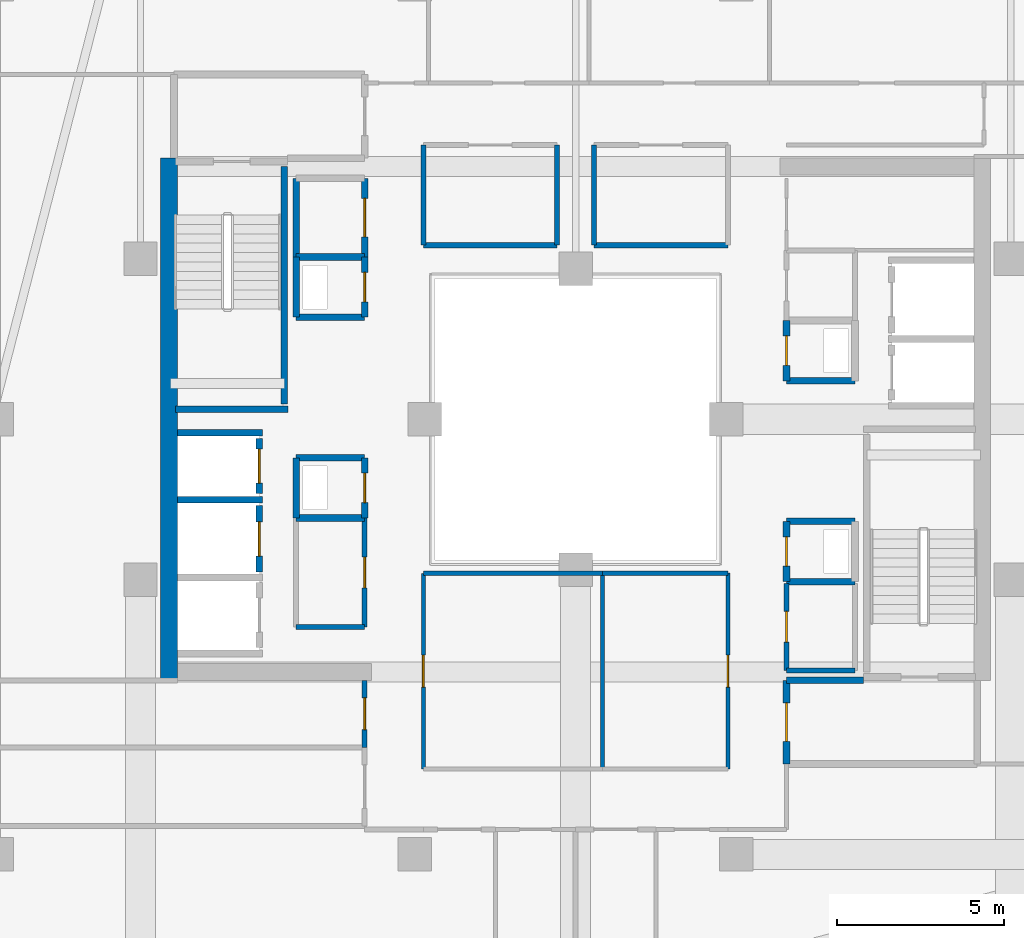
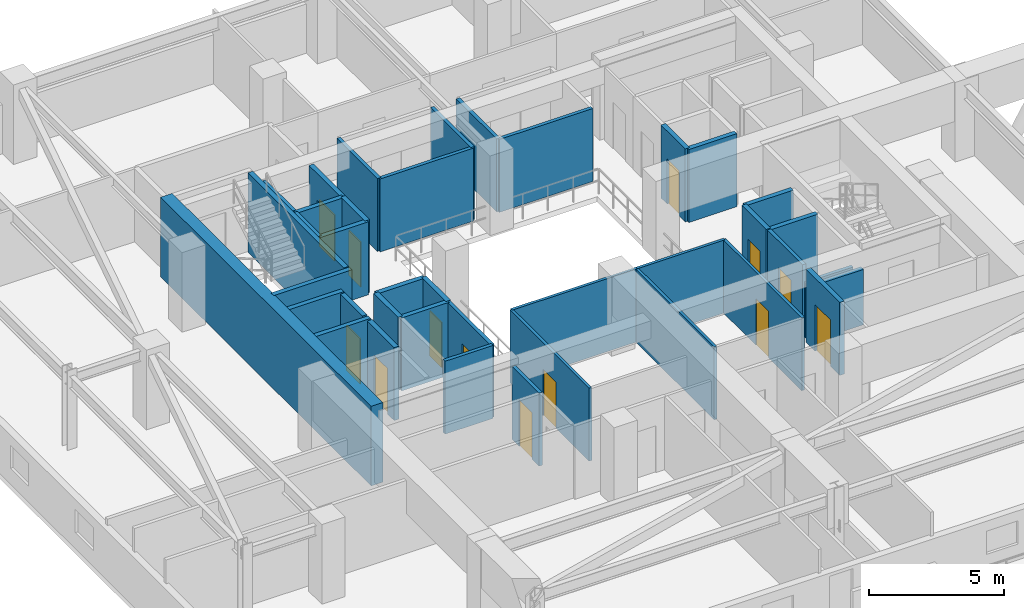
# One storey, part 26 of 35: 39 walls, 13 doors, 13 openings.
"""IFC4 building model written with IfcOpenShell, lengths in metres."""

from ifc_helpers import new_model, si_unit, direction, frame, frame_2d, origin, place, context, subcontext, project, spatial, rectangle, extrude, material, layer, layer_set, type_object, element, fill, save


model = new_model("IFC4")

# Units and contexts
model_context = context("Model", 3, precision=1e-05, world=origin(), true_north=direction((0.0, 1.0)))
body_context = subcontext(model_context, "Body", "Model", "MODEL_VIEW")
ifc_project = project(units=[si_unit("LENGTHUNIT", "METRE"), si_unit("AREAUNIT", "SQUARE_METRE"), si_unit("VOLUMEUNIT", "CUBIC_METRE"), si_unit("PLANEANGLEUNIT", "RADIAN"), si_unit("MASSUNIT", "GRAM", prefix="KILO")], contexts=[model_context])

# Site, building, storey
site_placement = place(None, origin())
site = spatial("IfcSite", under=ifc_project, at=site_placement, CompositionType="ELEMENT")
building_placement = place(site_placement, origin())
building = spatial("IfcBuilding", under=site, at=building_placement, Name="Thornwick Lancets Civic Towers", CompositionType="ELEMENT")
storey_placement = place(building_placement, frame((0.0, 0.0, 225.89990234375)))
storey = spatial("IfcBuildingStorey", under=building, at=storey_placement, Name="L60", CompositionType="ELEMENT", Elevation=225.89990234375)

# Wall, opening, door
ifc_material_1 = material(Name="Concrete blockwork C40/50", Category="masonry")
ifc_layer_1 = layer(ifc_material_1, 0.199951171875, Name="Concrete blockwork C40/50")
ifc_layer_set_1 = layer_set([ifc_layer_1], Name="Concrete blockwork C40/50")
wall_type_1 = type_object("IfcWallType", Name="WALL_COMP_200", PredefinedType="STANDARD", material=ifc_layer_set_1)
wall_1_placement = place(storey_placement, frame((79.050048828125, 24.780029296875, 0.0), z_axis=(0.0, 0.0, 1.0), x_axis=(0.0, 1.0, 0.0)))
wall_1 = element("IfcWall", 1, at=wall_1_placement, inside=storey, type_object=wall_type_1, Name="L60 Hoistway Front Wall FL-B2", PredefinedType="STANDARD", context=body_context, shape_type="SweptSolid", body=[
    extrude(rectangle(XDim=1.639892578125, YDim=0.199951171875, at=frame_2d((0.81982421875, 0.0))), origin(), (0.0, 0.0, 1.0), 3.300048828125),
])
opening_1_placement = place(wall_1_placement, frame((0.31005859375, 0.0, 0.0)))
opening_1 = element("IfcOpeningElement", 2, at=opening_1_placement, cuts=wall_1, Name="Opening LD-FL-B2", PredefinedType="OPENING", context=body_context, shape_type="SweptSolid", body=[
    extrude(rectangle(XDim=1.02001953125, YDim=2.06005859375, at=frame_2d((0.510009765625, 1.030029296875))), frame((0.0, 0.10986328125, 0.0), z_axis=(0.0, -1.0, 0.0), x_axis=(1.0, 0.0, 0.0)), (0.0, 0.0, 1.0), 0.219970703125),
])
ifc_material_2 = material(Name="Brushed bronze stainless steel", Category="steel")
door_type_1 = type_object("IfcDoorType", Name="DOOR_LIFT_SLIDE", OperationType="SLIDING_TO_LEFT", PredefinedType="DOOR", material=ifc_material_2)
door_1_placement = place(opening_1_placement, origin())
door_1 = element("IfcDoor", 3, at=door_1_placement, inside=storey, type_object=door_type_1, Name="L60 Sliding Lift Landing Door LD-FL-B2", OperationType="SLIDING_TO_LEFT", OverallHeight=2.06005859375, OverallWidth=1.02001953125, PredefinedType="DOOR", context=body_context, shape_type="SweptSolid", body=[
    extrude(rectangle(XDim=1.02001953125, YDim=2.06005859375, at=frame_2d((0.510009765625, 1.030029296875))), frame((0.0, 0.02490234375, 0.0), z_axis=(0.0, -1.0, 0.0), x_axis=(1.0, 0.0, 0.0)), (0.0, 0.0, 1.0), 0.050048828125),
])
fill(opening_1, door_1)

wall_2_placement = place(storey_placement, frame((79.050048828125, 22.429931640625, 0.0), z_axis=(0.0, 0.0, 1.0), x_axis=(0.0, 1.0, 0.0)))
wall_2 = element("IfcWall", 4, at=wall_2_placement, inside=storey, type_object=wall_type_1, Name="L60 Hoistway Front Wall PL-BH2", PredefinedType="STANDARD", context=body_context, shape_type="SweptSolid", body=[
    extrude(rectangle(XDim=1.989990234375, YDim=0.199951171875, at=frame_2d((0.9951171875, 0.0))), origin(), (0.0, 0.0, 1.0), 3.300048828125),
])
opening_2_placement = place(wall_2_placement, frame((0.485107421875, 0.0, 0.0)))
opening_2 = element("IfcOpeningElement", 5, at=opening_2_placement, cuts=wall_2, Name="Opening LD-PL-BH2", PredefinedType="OPENING", context=body_context, shape_type="SweptSolid", body=[
    extrude(rectangle(XDim=1.02001953125, YDim=2.06005859375, at=frame_2d((0.510009765625, 1.030029296875))), frame((0.0, 0.10986328125, 0.0), z_axis=(0.0, -1.0, 0.0), x_axis=(1.0, 0.0, 0.0)), (0.0, 0.0, 1.0), 0.219970703125),
])
door_2_placement = place(opening_2_placement, origin())
door_2 = element("IfcDoor", 6, at=door_2_placement, inside=storey, type_object=door_type_1, Name="L60 Sliding Lift Landing Door LD-PL-BH2", OperationType="SLIDING_TO_LEFT", OverallHeight=2.06005859375, OverallWidth=1.02001953125, PredefinedType="DOOR", context=body_context, shape_type="SweptSolid", body=[
    extrude(rectangle(XDim=1.02001953125, YDim=2.06005859375, at=frame_2d((0.510009765625, 1.030029296875))), frame((0.0, 0.02490234375, 0.0), z_axis=(0.0, -1.0, 0.0), x_axis=(1.0, 0.0, 0.0)), (0.0, 0.0, 1.0), 0.050048828125),
])
fill(opening_2, door_2)

# Walls
for number, where, z_axis, x_axis, name in (
    (7, (76.612060546875, 26.60009765625, 0.0), (0.0, 0.0, 1.0), (1.0, 0.0, 0.0), "L60 Hoistway Shaft Wall FL-B2 N"),
    (8, (76.612060546875, 24.60009765625, 0.0), (0.0, 0.0, 1.0), (1.0, 0.0, 0.0), "L60 Hoistway Shaft Wall FL-B2 S"),
):
    element("IfcWall", number, at=place(storey_placement, frame(where, z_axis=z_axis, x_axis=x_axis)), inside=storey, type_object=wall_type_1, Name=name, PredefinedType="STANDARD", context=body_context, shape_type="SweptSolid", body=[
        extrude(rectangle(XDim=2.535888671875, YDim=0.199951171875, at=frame_2d((1.26806640625, 0.0))), origin(), (0.0, 0.0, 1.0), 3.300048828125),
    ])
wall_3_placement = place(storey_placement, frame((97.10009765625, 19.199951171875, 0.0), z_axis=(0.0, 0.0, 1.0), x_axis=(-1.0, 0.0, 0.0)))
element("IfcWall", 9, at=wall_3_placement, inside=storey, type_object=wall_type_1, Name="L60 Partition L60-B-FFLOB1 E3", PredefinedType="STANDARD", context=body_context, shape_type="SweptSolid", body=[
    extrude(rectangle(XDim=2.300048828125, YDim=0.199951171875, at=frame_2d((1.14990234375, 0.0))), origin(), (0.0, 0.0, 1.0), 2.505126953125),
])

# Wall, opening, door
wall_4_placement = place(storey_placement, frame((94.800048828125, 19.199951171875, 0.0), z_axis=(0.0, 0.0, 1.0), x_axis=(0.0, -1.0, 0.0)))
wall_4 = element("IfcWall", 10, at=wall_4_placement, inside=storey, type_object=wall_type_1, Name="L60 Partition L60-B-FFLOB1 E4", PredefinedType="STANDARD", context=body_context, shape_type="SweptSolid", body=[
    extrude(rectangle(XDim=2.5, YDim=0.199951171875, at=frame_2d((1.25, 0.0))), origin(), (0.0, 0.0, 1.0), 3.300048828125),
])
opening_3_placement = place(wall_4_placement, frame((0.675048828125, 0.0, 0.0)))
opening_3 = element("IfcOpeningElement", 11, at=opening_3_placement, cuts=wall_4, Name="Opening D-L60-2692", PredefinedType="OPENING", context=body_context, shape_type="SweptSolid", body=[
    extrude(rectangle(XDim=1.14990234375, YDim=2.10009765625, at=frame_2d((0.574951171875, 1.050048828125))), frame((0.0, 0.10986328125, 0.0), z_axis=(0.0, -1.0, 0.0), x_axis=(1.0, 0.0, 0.0)), (0.0, 0.0, 1.0), 0.219970703125),
])
ifc_material_3 = material(Name="Glazed fire-resisting steel", Category="steel")
door_type_2 = type_object("IfcDoorType", Name="DOOR_LOBBY_FD60", OperationType="NOTDEFINED", PredefinedType="DOOR", material=ifc_material_3)
door_3_placement = place(opening_3_placement, origin())
door_3 = element("IfcDoor", 12, at=door_3_placement, inside=storey, type_object=door_type_2, Name="L60 East Firefighting Lobby 1 Door", OperationType="SINGLE_SWING_LEFT", OverallHeight=2.10009765625, OverallWidth=1.14990234375, PredefinedType="DOOR", context=body_context, shape_type="SweptSolid", body=[
    extrude(rectangle(XDim=1.14990234375, YDim=2.10009765625, at=frame_2d((0.574951171875, 1.050048828125))), frame((0.0, 0.02490234375, 0.0), z_axis=(0.0, -1.0, 0.0), x_axis=(1.0, 0.0, 0.0)), (0.0, 0.0, 1.0), 0.050048828125),
])
fill(opening_3, door_3)

# Wall
wall_5_placement = place(storey_placement, frame((94.800048828125, 28.14990234375, 0.0), z_axis=(0.0, 0.0, 1.0), x_axis=(1.0, 0.0, 0.0)))
element("IfcWall", 13, at=wall_5_placement, inside=storey, type_object=wall_type_1, Name="L60 Partition L60-B-DUCT1 E1", PredefinedType="STANDARD", context=body_context, shape_type="SweptSolid", body=[
    extrude(rectangle(XDim=2.050048828125, YDim=0.199951171875, at=frame_2d((1.02490234375, 0.0))), origin(), (0.0, 0.0, 1.0), 3.300048828125),
])

# Wall, opening, door
wall_6_placement = place(storey_placement, frame((94.800048828125, 29.949951171875, 0.0), z_axis=(0.0, 0.0, 1.0), x_axis=(0.0, -1.0, 0.0)))
wall_6 = element("IfcWall", 14, at=wall_6_placement, inside=storey, type_object=wall_type_1, Name="L60 Partition L60-B-DUCT1 E4", PredefinedType="STANDARD", context=body_context, shape_type="SweptSolid", body=[
    extrude(rectangle(XDim=1.800048828125, YDim=0.199951171875, at=frame_2d((0.89990234375, 0.0))), origin(), (0.0, 0.0, 1.0), 3.300048828125),
])
opening_4_placement = place(wall_6_placement, frame((0.4599609375, 0.0, 0.0)))
opening_4 = element("IfcOpeningElement", 15, at=opening_4_placement, cuts=wall_6, Name="Opening D-L60-2694", PredefinedType="OPENING", context=body_context, shape_type="SweptSolid", body=[
    extrude(rectangle(XDim=0.8798828125, YDim=2.0400390625, at=frame_2d((0.43994140625, 1.02001953125))), frame((0.0, 0.10986328125, 0.0), z_axis=(0.0, -1.0, 0.0), x_axis=(1.0, 0.0, 0.0)), (0.0, 0.0, 1.0), 0.219970703125),
])
ifc_material_4 = material(Name="Steel riser access doorset", Category="steel")
door_type_3 = type_object("IfcDoorType", Name="DOOR_RISER_850", OperationType="NOTDEFINED", PredefinedType="DOOR", material=ifc_material_4)
door_4_placement = place(opening_4_placement, origin())
door_4 = element("IfcDoor", 16, at=door_4_placement, inside=storey, type_object=door_type_3, Name="L60 East Service Duct 1 Door", OperationType="SINGLE_SWING_LEFT", OverallHeight=2.0400390625, OverallWidth=0.8798828125, PredefinedType="DOOR", context=body_context, shape_type="SweptSolid", body=[
    extrude(rectangle(XDim=0.8798828125, YDim=2.0400390625, at=frame_2d((0.43994140625, 1.02001953125))), frame((0.0, 0.02490234375, 0.0), z_axis=(0.0, -1.0, 0.0), x_axis=(1.0, 0.0, 0.0)), (0.0, 0.0, 1.0), 0.050048828125),
])
fill(opening_4, door_4)

# Walls
for number, where, z_axis, x_axis, name in (
    (17, (94.800048828125, 22.14990234375, 0.0), (0.0, 0.0, 1.0), (1.0, 0.0, 0.0), "L60 Partition L60-B-RISER1 E1"),
    (18, (96.85009765625, 23.949951171875, 0.0), (0.0, 0.0, 1.0), (-1.0, 0.0, 0.0), "L60 Partition L60-B-RISER1 E3"),
):
    element("IfcWall", number, at=place(storey_placement, frame(where, z_axis=z_axis, x_axis=x_axis)), inside=storey, type_object=wall_type_1, Name=name, PredefinedType="STANDARD", context=body_context, shape_type="SweptSolid", body=[
        extrude(rectangle(XDim=2.050048828125, YDim=0.199951171875, at=frame_2d((1.02490234375, 0.0))), origin(), (0.0, 0.0, 1.0), 3.300048828125),
    ])

# Wall, opening, door
wall_7_placement = place(storey_placement, frame((94.800048828125, 23.949951171875, 0.0), z_axis=(0.0, 0.0, 1.0), x_axis=(0.0, -1.0, 0.0)))
wall_7 = element("IfcWall", 19, at=wall_7_placement, inside=storey, type_object=wall_type_1, Name="L60 Partition L60-B-RISER1 E4", PredefinedType="STANDARD", context=body_context, shape_type="SweptSolid", body=[
    extrude(rectangle(XDim=1.800048828125, YDim=0.199951171875, at=frame_2d((0.89990234375, 0.0))), origin(), (0.0, 0.0, 1.0), 3.300048828125),
])
opening_5_placement = place(wall_7_placement, frame((0.4599609375, 0.0, 0.0)))
opening_5 = element("IfcOpeningElement", 20, at=opening_5_placement, cuts=wall_7, Name="Opening D-L60-2695", PredefinedType="OPENING", context=body_context, shape_type="SweptSolid", body=[
    extrude(rectangle(XDim=0.8798828125, YDim=2.0400390625, at=frame_2d((0.43994140625, 1.02001953125))), frame((0.0, 0.10986328125, 0.0), z_axis=(0.0, -1.0, 0.0), x_axis=(1.0, 0.0, 0.0)), (0.0, 0.0, 1.0), 0.219970703125),
])
door_5_placement = place(opening_5_placement, origin())
door_5 = element("IfcDoor", 21, at=door_5_placement, inside=storey, type_object=door_type_3, Name="L60 East Electrical Riser 1 Door", OperationType="SINGLE_SWING_RIGHT", OverallHeight=2.0400390625, OverallWidth=0.8798828125, PredefinedType="DOOR", context=body_context, shape_type="SweptSolid", body=[
    extrude(rectangle(XDim=0.8798828125, YDim=2.0400390625, at=frame_2d((0.43994140625, 1.02001953125))), frame((0.0, 0.02490234375, 0.0), z_axis=(0.0, -1.0, 0.0), x_axis=(1.0, 0.0, 0.0)), (0.0, 0.0, 1.0), 0.050048828125),
])
fill(opening_5, door_5)

# Wall
wall_8_placement = place(storey_placement, frame((80.14990234375, 24.050048828125, 0.0), z_axis=(0.0, 0.0, 1.0), x_axis=(1.0, 0.0, 0.0)))
element("IfcWall", 22, at=wall_8_placement, inside=storey, type_object=wall_type_1, Name="L60 Partition L60-B-DUCT2 E1", PredefinedType="STANDARD", context=body_context, shape_type="SweptSolid", body=[
    extrude(rectangle(XDim=2.050048828125, YDim=0.199951171875, at=frame_2d((1.02490234375, 0.0))), origin(), (0.0, 0.0, 1.0), 3.300048828125),
])

# Wall, opening, door
wall_9_placement = place(storey_placement, frame((82.199951171875, 24.050048828125, 0.0), z_axis=(0.0, 0.0, 1.0), x_axis=(0.0, 1.0, 0.0)))
wall_9 = element("IfcWall", 23, at=wall_9_placement, inside=storey, type_object=wall_type_1, Name="L60 Partition L60-B-DUCT2 E2", PredefinedType="STANDARD", context=body_context, shape_type="SweptSolid", body=[
    extrude(rectangle(XDim=1.800048828125, YDim=0.199951171875, at=frame_2d((0.89990234375, 0.0))), origin(), (0.0, 0.0, 1.0), 3.300048828125),
])
opening_6_placement = place(wall_9_placement, frame((0.4599609375, 0.0, 0.0)))
opening_6 = element("IfcOpeningElement", 24, at=opening_6_placement, cuts=wall_9, Name="Opening D-L60-2696", PredefinedType="OPENING", context=body_context, shape_type="SweptSolid", body=[
    extrude(rectangle(XDim=0.8798828125, YDim=2.0400390625, at=frame_2d((0.43994140625, 1.02001953125))), frame((0.0, 0.10986328125, 0.0), z_axis=(0.0, -1.0, 0.0), x_axis=(1.0, 0.0, 0.0)), (0.0, 0.0, 1.0), 0.219970703125),
])
door_6_placement = place(opening_6_placement, origin())
door_6 = element("IfcDoor", 25, at=door_6_placement, inside=storey, type_object=door_type_3, Name="L60 West Service Duct 2 Door", OperationType="SINGLE_SWING_LEFT", OverallHeight=2.0400390625, OverallWidth=0.8798828125, PredefinedType="DOOR", context=body_context, shape_type="SweptSolid", body=[
    extrude(rectangle(XDim=0.8798828125, YDim=2.0400390625, at=frame_2d((0.43994140625, 1.02001953125))), frame((0.0, 0.02490234375, 0.0), z_axis=(0.0, -1.0, 0.0), x_axis=(1.0, 0.0, 0.0)), (0.0, 0.0, 1.0), 0.050048828125),
])
fill(opening_6, door_6)

# Walls
wall_10_placement = place(storey_placement, frame((82.199951171875, 25.85009765625, 0.0), z_axis=(0.0, 0.0, 1.0), x_axis=(-1.0, 0.0, 0.0)))
element("IfcWall", 26, at=wall_10_placement, inside=storey, type_object=wall_type_1, Name="L60 Partition L60-B-DUCT2 E3", PredefinedType="STANDARD", context=body_context, shape_type="SweptSolid", body=[
    extrude(rectangle(XDim=2.050048828125, YDim=0.199951171875, at=frame_2d((1.02490234375, 0.0))), origin(), (0.0, 0.0, 1.0), 3.300048828125),
])
wall_11_placement = place(storey_placement, frame((80.14990234375, 25.85009765625, 0.0), z_axis=(0.0, 0.0, 1.0), x_axis=(0.0, -1.0, 0.0)))
element("IfcWall", 27, at=wall_11_placement, inside=storey, type_object=wall_type_1, Name="L60 Partition L60-B-DUCT2 E4", PredefinedType="STANDARD", context=body_context, shape_type="SweptSolid", body=[
    extrude(rectangle(XDim=1.800048828125, YDim=0.199951171875, at=frame_2d((0.89990234375, 0.0))), origin(), (0.0, 0.0, 1.0), 3.300048828125),
])
wall_12_placement = place(storey_placement, frame((80.14990234375, 30.050048828125, 0.0), z_axis=(0.0, 0.0, 1.0), x_axis=(1.0, 0.0, 0.0)))
element("IfcWall", 28, at=wall_12_placement, inside=storey, type_object=wall_type_1, Name="L60 Partition L60-B-RISER2 E1", PredefinedType="STANDARD", context=body_context, shape_type="SweptSolid", body=[
    extrude(rectangle(XDim=2.050048828125, YDim=0.199951171875, at=frame_2d((1.02490234375, 0.0))), origin(), (0.0, 0.0, 1.0), 3.300048828125),
])

# Wall, opening, door
wall_13_placement = place(storey_placement, frame((82.199951171875, 30.050048828125, 0.0), z_axis=(0.0, 0.0, 1.0), x_axis=(0.0, 1.0, 0.0)))
wall_13 = element("IfcWall", 29, at=wall_13_placement, inside=storey, type_object=wall_type_1, Name="L60 Partition L60-B-RISER2 E2", PredefinedType="STANDARD", context=body_context, shape_type="SweptSolid", body=[
    extrude(rectangle(XDim=1.800048828125, YDim=0.199951171875, at=frame_2d((0.89990234375, 0.0))), origin(), (0.0, 0.0, 1.0), 3.300048828125),
])
opening_7_placement = place(wall_13_placement, frame((0.4599609375, 0.0, 0.0)))
opening_7 = element("IfcOpeningElement", 30, at=opening_7_placement, cuts=wall_13, Name="Opening D-L60-2697", PredefinedType="OPENING", context=body_context, shape_type="SweptSolid", body=[
    extrude(rectangle(XDim=0.8798828125, YDim=2.0400390625, at=frame_2d((0.43994140625, 1.02001953125))), frame((0.0, 0.10986328125, 0.0), z_axis=(0.0, -1.0, 0.0), x_axis=(1.0, 0.0, 0.0)), (0.0, 0.0, 1.0), 0.219970703125),
])
door_7_placement = place(opening_7_placement, origin())
door_7 = element("IfcDoor", 31, at=door_7_placement, inside=storey, type_object=door_type_3, Name="L60 West Service Riser 2 Door", OperationType="SINGLE_SWING_RIGHT", OverallHeight=2.0400390625, OverallWidth=0.8798828125, PredefinedType="DOOR", context=body_context, shape_type="SweptSolid", body=[
    extrude(rectangle(XDim=0.8798828125, YDim=2.0400390625, at=frame_2d((0.43994140625, 1.02001953125))), frame((0.0, 0.02490234375, 0.0), z_axis=(0.0, -1.0, 0.0), x_axis=(1.0, 0.0, 0.0)), (0.0, 0.0, 1.0), 0.050048828125),
])
fill(opening_7, door_7)

# Walls
wall_14_placement = place(storey_placement, frame((82.199951171875, 31.85009765625, 0.0), z_axis=(0.0, 0.0, 1.0), x_axis=(-1.0, 0.0, 0.0)))
element("IfcWall", 32, at=wall_14_placement, inside=storey, type_object=wall_type_1, Name="L60 Partition L60-B-RISER2 E3", PredefinedType="STANDARD", context=body_context, shape_type="SweptSolid", body=[
    extrude(rectangle(XDim=2.050048828125, YDim=0.199951171875, at=frame_2d((1.02490234375, 0.0))), origin(), (0.0, 0.0, 1.0), 3.300048828125),
])
wall_15_placement = place(storey_placement, frame((80.14990234375, 31.85009765625, 0.0), z_axis=(0.0, 0.0, 1.0), x_axis=(0.0, -1.0, 0.0)))
element("IfcWall", 33, at=wall_15_placement, inside=storey, type_object=wall_type_1, Name="L60 Partition L60-B-RISER2 E4", PredefinedType="STANDARD", context=body_context, shape_type="SweptSolid", body=[
    extrude(rectangle(XDim=1.800048828125, YDim=0.199951171875, at=frame_2d((0.89990234375, 0.0))), origin(), (0.0, 0.0, 1.0), 3.300048828125),
])
wall_16_placement = place(storey_placement, frame((80.14990234375, 31.85009765625, 0.0), z_axis=(0.0, 0.0, 1.0), x_axis=(0.0, 1.0, 0.0)))
element("IfcWall", 34, at=wall_16_placement, inside=storey, type_object=wall_type_1, Name="L60 Partition L60-B-STR E1", PredefinedType="STANDARD", context=body_context, shape_type="SweptSolid", body=[
    extrude(rectangle(XDim=2.349853515625, YDim=0.199951171875, at=frame_2d((1.1748046875, 0.0))), origin(), (0.0, 0.0, 1.0), 3.300048828125),
])

# Wall, opening, door
wall_17_placement = place(storey_placement, frame((82.199951171875, 34.199951171875, 0.0), z_axis=(0.0, 0.0, 1.0), x_axis=(0.0, -1.0, 0.0)))
wall_17 = element("IfcWall", 35, at=wall_17_placement, inside=storey, type_object=wall_type_1, Name="L60 Partition L60-B-STR E3", PredefinedType="STANDARD", context=body_context, shape_type="SweptSolid", body=[
    extrude(rectangle(XDim=2.349853515625, YDim=0.199951171875, at=frame_2d((1.1748046875, 0.0))), origin(), (0.0, 0.0, 1.0), 3.300048828125),
])
opening_8_placement = place(wall_17_placement, frame((0.60009765625, 0.0, 0.0)))
opening_8 = element("IfcOpeningElement", 36, at=opening_8_placement, cuts=wall_17, Name="Opening D-L60-2702", PredefinedType="OPENING", context=body_context, shape_type="SweptSolid", body=[
    extrude(rectangle(XDim=1.14990234375, YDim=2.10009765625, at=frame_2d((0.574951171875, 1.050048828125))), frame((0.0, 0.10986328125, 0.0), z_axis=(0.0, -1.0, 0.0), x_axis=(1.0, 0.0, 0.0)), (0.0, 0.0, 1.0), 0.219970703125),
])
door_8_placement = place(opening_8_placement, origin())
door_8 = element("IfcDoor", 37, at=door_8_placement, inside=storey, type_object=door_type_2, Name="L60 Tower B Core Equipment Store Door", OperationType="SINGLE_SWING_LEFT", OverallHeight=2.10009765625, OverallWidth=1.14990234375, PredefinedType="DOOR", context=body_context, shape_type="SweptSolid", body=[
    extrude(rectangle(XDim=1.14990234375, YDim=2.10009765625, at=frame_2d((0.574951171875, 1.050048828125))), frame((0.0, 0.02490234375, 0.0), z_axis=(0.0, -1.0, 0.0), x_axis=(1.0, 0.0, 0.0)), (0.0, 0.0, 1.0), 0.050048828125),
])
fill(opening_8, door_8)

# Walls
ifc_material_5 = material(Name="Concrete C50/60", Category="concrete")
ifc_layer_2 = layer(ifc_material_5, 0.5, Name="Concrete C50/60")
ifc_layer_set_2 = layer_set([ifc_layer_2], Name="Concrete C50/60")
wall_type_2 = type_object("IfcWallType", Name="WALL_CORE_500", PredefinedType="SHEAR", material=ifc_layer_set_2)
wall_18_placement = place(storey_placement, frame((76.35009765625, 19.199951171875, 0.0), z_axis=(0.0, 0.0, 1.0), x_axis=(0.0, 1.0, 0.0)))
element("IfcWall", 38, at=wall_18_placement, inside=storey, type_object=wall_type_2, Name="L60 Split Core B2 Shear Wall W", PredefinedType="SHEAR", context=body_context, shape_type="SweptSolid", body=[
    extrude(rectangle(XDim=15.60009765625, YDim=0.5, at=frame_2d((7.800048828125, 0.0))), origin(), (0.0, 0.0, 1.0), 3.60009765625),
])
ifc_material_6 = material(Name="Acoustic gypsum board partition")
ifc_layer_3 = layer(ifc_material_6, 0.1201171875, Name="Acoustic gypsum board partition")
ifc_layer_set_3 = layer_set([ifc_layer_3], Name="Acoustic gypsum board partition")
wall_type_3 = type_object("IfcWallType", Name="WALL_PART_120", PredefinedType="PARTITIONING", material=ifc_layer_set_3)
wall_19_placement = place(storey_placement, frame((89.300048828125, 16.550048828125, 0.0), z_axis=(0.0, 0.0, 1.0), x_axis=(0.0, 1.0, 0.0)))
element("IfcWall", 39, at=wall_19_placement, inside=storey, type_object=wall_type_3, Name="L60 Partition L60-B-W3 E1", PredefinedType="PARTITIONING", context=body_context, shape_type="SweptSolid", body=[
    extrude(rectangle(XDim=5.849853515625, YDim=0.1201171875, at=frame_2d((2.9248046875, 0.0))), origin(), (0.0, 0.0, 1.0), 3.300048828125),
])
wall_20_placement = place(storey_placement, frame((89.300048828125, 22.39990234375, 0.0), z_axis=(0.0, 0.0, 1.0), x_axis=(1.0, 0.0, 0.0)))
element("IfcWall", 40, at=wall_20_placement, inside=storey, type_object=wall_type_3, Name="L60 Partition L60-B-W3 E2", PredefinedType="PARTITIONING", context=body_context, shape_type="SweptSolid", body=[
    extrude(rectangle(XDim=3.75, YDim=0.1201171875, at=frame_2d((1.875, 0.0))), origin(), (0.0, 0.0, 1.0), 3.300048828125),
])

# Wall, opening, door
wall_21_placement = place(storey_placement, frame((93.050048828125, 22.39990234375, 0.0), z_axis=(0.0, 0.0, 1.0), x_axis=(0.0, -1.0, 0.0)))
wall_21 = element("IfcWall", 41, at=wall_21_placement, inside=storey, type_object=wall_type_3, Name="L60 Partition L60-B-W3 E3", PredefinedType="PARTITIONING", context=body_context, shape_type="SweptSolid", body=[
    extrude(rectangle(XDim=5.849853515625, YDim=0.1201171875, at=frame_2d((2.9248046875, 0.0))), origin(), (0.0, 0.0, 1.0), 3.300048828125),
])
opening_9_placement = place(wall_21_placement, frame((2.449951171875, 0.0, 0.0)))
opening_9 = element("IfcOpeningElement", 42, at=opening_9_placement, cuts=wall_21, Name="Opening D-L60-2725", PredefinedType="OPENING", context=body_context, shape_type="SweptSolid", body=[
    extrude(rectangle(XDim=0.949951171875, YDim=2.10009765625, at=frame_2d((0.47509765625, 1.050048828125))), frame((0.0, 0.070068359375, 0.0), z_axis=(0.0, -1.0, 0.0), x_axis=(1.0, 0.0, 0.0)), (0.0, 0.0, 1.0), 0.14013671875),
])
ifc_material_7 = material(Name="European oak acoustic doorset")
door_type_4 = type_object("IfcDoorType", Name="DOOR_OFFICE_950", OperationType="NOTDEFINED", PredefinedType="DOOR", material=ifc_material_7)
door_9_placement = place(opening_9_placement, origin())
door_9 = element("IfcDoor", 43, at=door_9_placement, inside=storey, type_object=door_type_4, Name="L60 Tower B Staff Tea Pantry and Lounge Door", OperationType="SINGLE_SWING_RIGHT", OverallHeight=2.10009765625, OverallWidth=0.949951171875, PredefinedType="DOOR", context=body_context, shape_type="SweptSolid", body=[
    extrude(rectangle(XDim=0.949951171875, YDim=2.10009765625, at=frame_2d((0.47509765625, 1.050048828125))), frame((0.0, 0.02490234375, 0.0), z_axis=(0.0, -1.0, 0.0), x_axis=(1.0, 0.0, 0.0)), (0.0, 0.0, 1.0), 0.050048828125),
])
fill(opening_9, door_9)

wall_22_placement = place(storey_placement, frame((83.949951171875, 16.550048828125, 0.0), z_axis=(0.0, 0.0, 1.0), x_axis=(0.0, 1.0, 0.0)))
wall_22 = element("IfcWall", 44, at=wall_22_placement, inside=storey, type_object=wall_type_3, Name="L60 Partition L60-B-W4 E1", PredefinedType="PARTITIONING", context=body_context, shape_type="SweptSolid", body=[
    extrude(rectangle(XDim=5.849853515625, YDim=0.1201171875, at=frame_2d((2.9248046875, 0.0))), origin(), (0.0, 0.0, 1.0), 3.300048828125),
])
opening_10_placement = place(wall_22_placement, frame((2.449951171875, 0.0, 0.0)))
opening_10 = element("IfcOpeningElement", 45, at=opening_10_placement, cuts=wall_22, Name="Opening D-L60-2726", PredefinedType="OPENING", context=body_context, shape_type="SweptSolid", body=[
    extrude(rectangle(XDim=0.949951171875, YDim=2.10009765625, at=frame_2d((0.47509765625, 1.050048828125))), frame((0.0, 0.070068359375, 0.0), z_axis=(0.0, -1.0, 0.0), x_axis=(1.0, 0.0, 0.0)), (0.0, 0.0, 1.0), 0.14013671875),
])
door_10_placement = place(opening_10_placement, origin())
door_10 = element("IfcDoor", 46, at=door_10_placement, inside=storey, type_object=door_type_4, Name="L60 Tower B Statutory Research Library W4 Door", OperationType="SINGLE_SWING_LEFT", OverallHeight=2.10009765625, OverallWidth=0.949951171875, PredefinedType="DOOR", context=body_context, shape_type="SweptSolid", body=[
    extrude(rectangle(XDim=0.949951171875, YDim=2.10009765625, at=frame_2d((0.47509765625, 1.050048828125))), frame((0.0, 0.02490234375, 0.0), z_axis=(0.0, -1.0, 0.0), x_axis=(1.0, 0.0, 0.0)), (0.0, 0.0, 1.0), 0.050048828125),
])
fill(opening_10, door_10)

# Walls
wall_23_placement = place(storey_placement, frame((83.949951171875, 22.39990234375, 0.0), z_axis=(0.0, 0.0, 1.0), x_axis=(1.0, 0.0, 0.0)))
element("IfcWall", 47, at=wall_23_placement, inside=storey, type_object=wall_type_3, Name="L60 Partition L60-B-W4 E2", PredefinedType="PARTITIONING", context=body_context, shape_type="SweptSolid", body=[
    extrude(rectangle(XDim=5.35009765625, YDim=0.1201171875, at=frame_2d((2.675048828125, 0.0))), origin(), (0.0, 0.0, 1.0), 3.300048828125),
])
ifc_material_8 = material(Name="Twin-stud acoustic gypsum board")
ifc_layer_4 = layer(ifc_material_8, 0.14990234375, Name="Twin-stud acoustic gypsum board")
ifc_layer_set_4 = layer_set([ifc_layer_4], Name="Twin-stud acoustic gypsum board")
wall_type_4 = type_object("IfcWallType", Name="WALL_PART_150", PredefinedType="PARTITIONING", material=ifc_layer_set_4)
wall_24_placement = place(storey_placement, frame((94.800048828125, 19.5, 0.0), z_axis=(0.0, 0.0, 1.0), x_axis=(1.0, 0.0, 0.0)))
element("IfcWall", 48, at=wall_24_placement, inside=storey, type_object=wall_type_4, Name="L60 Partition L60-B-AWC E1", PredefinedType="PARTITIONING", context=body_context, shape_type="SweptSolid", body=[
    extrude(rectangle(XDim=2.050048828125, YDim=0.14990234375, at=frame_2d((1.02490234375, 0.0))), origin(), (0.0, 0.0, 1.0), 2.505126953125),
])

# Wall, opening, door
wall_25_placement = place(storey_placement, frame((94.800048828125, 22.10009765625, 0.0), z_axis=(0.0, 0.0, 1.0), x_axis=(0.0, -1.0, 0.0)))
wall_25 = element("IfcWall", 49, at=wall_25_placement, inside=storey, type_object=wall_type_4, Name="L60 Partition L60-B-AWC E4", PredefinedType="PARTITIONING", context=body_context, shape_type="SweptSolid", body=[
    extrude(rectangle(XDim=2.60009765625, YDim=0.14990234375, at=frame_2d((1.300048828125, 0.0))), origin(), (0.0, 0.0, 1.0), 3.300048828125),
])
opening_11_placement = place(wall_25_placement, frame((0.840087890625, 0.0, 0.0)))
opening_11 = element("IfcOpeningElement", 50, at=opening_11_placement, cuts=wall_25, Name="Opening D-L60-2698", PredefinedType="OPENING", context=body_context, shape_type="SweptSolid", body=[
    extrude(rectangle(XDim=0.919921875, YDim=2.080078125, at=frame_2d((0.4599609375, 1.0400390625))), frame((0.0, 0.0849609375, 0.0), z_axis=(0.0, -1.0, 0.0), x_axis=(1.0, 0.0, 0.0)), (0.0, 0.0, 1.0), 0.169921875),
])
ifc_material_9 = material(Name="Moisture-resistant oak doorset")
door_type_5 = type_object("IfcDoorType", Name="DOOR_WC_900", OperationType="NOTDEFINED", PredefinedType="DOOR", material=ifc_material_9)
door_11_placement = place(opening_11_placement, origin())
door_11 = element("IfcDoor", 51, at=door_11_placement, inside=storey, type_object=door_type_5, Name="L60 Tower B Accessible WC Door", OperationType="SINGLE_SWING_LEFT", OverallHeight=2.080078125, OverallWidth=0.919921875, PredefinedType="DOOR", context=body_context, shape_type="SweptSolid", body=[
    extrude(rectangle(XDim=0.919921875, YDim=2.080078125, at=frame_2d((0.4599609375, 1.0400390625))), frame((0.0, 0.02490234375, 0.0), z_axis=(0.0, -1.0, 0.0), x_axis=(1.0, 0.0, 0.0)), (0.0, 0.0, 1.0), 0.050048828125),
])
fill(opening_11, door_11)

# Wall
wall_26_placement = place(storey_placement, frame((82.199951171875, 20.800048828125, 0.0), z_axis=(0.0, 0.0, 1.0), x_axis=(-1.0, 0.0, 0.0)))
element("IfcWall", 52, at=wall_26_placement, inside=storey, type_object=wall_type_4, Name="L60 Partition L60-B-FWC E1", PredefinedType="PARTITIONING", context=body_context, shape_type="SweptSolid", body=[
    extrude(rectangle(XDim=2.050048828125, YDim=0.14990234375, at=frame_2d((1.02490234375, 0.0))), origin(), (0.0, 0.0, 1.0), 3.300048828125),
])

# Wall, opening, door
wall_27_placement = place(storey_placement, frame((82.199951171875, 24.050048828125, 0.0), z_axis=(0.0, 0.0, 1.0), x_axis=(0.0, -1.0, 0.0)))
wall_27 = element("IfcWall", 53, at=wall_27_placement, inside=storey, type_object=wall_type_4, Name="L60 Partition L60-B-FWC E4", PredefinedType="PARTITIONING", context=body_context, shape_type="SweptSolid", body=[
    extrude(rectangle(XDim=3.25, YDim=0.14990234375, at=frame_2d((1.625, 0.0))), origin(), (0.0, 0.0, 1.0), 3.300048828125),
])
opening_12_placement = place(wall_27_placement, frame((1.1650390625, 0.0, 0.0)))
opening_12 = element("IfcOpeningElement", 54, at=opening_12_placement, cuts=wall_27, Name="Opening D-L60-2701", PredefinedType="OPENING", context=body_context, shape_type="SweptSolid", body=[
    extrude(rectangle(XDim=0.919921875, YDim=2.080078125, at=frame_2d((0.4599609375, 1.0400390625))), frame((0.0, 0.0849609375, 0.0), z_axis=(0.0, -1.0, 0.0), x_axis=(1.0, 0.0, 0.0)), (0.0, 0.0, 1.0), 0.169921875),
])
door_12_placement = place(opening_12_placement, origin())
door_12 = element("IfcDoor", 55, at=door_12_placement, inside=storey, type_object=door_type_5, Name="L60 Tower B Female WC Door", OperationType="SINGLE_SWING_RIGHT", OverallHeight=2.080078125, OverallWidth=0.919921875, PredefinedType="DOOR", context=body_context, shape_type="SweptSolid", body=[
    extrude(rectangle(XDim=0.919921875, YDim=2.080078125, at=frame_2d((0.4599609375, 1.0400390625))), frame((0.0, 0.02490234375, 0.0), z_axis=(0.0, -1.0, 0.0), x_axis=(1.0, 0.0, 0.0)), (0.0, 0.0, 1.0), 0.050048828125),
])
fill(opening_12, door_12)

wall_28_placement = place(storey_placement, frame((82.199951171875, 19.199951171875, 0.0), z_axis=(0.0, 0.0, 1.0), x_axis=(0.0, -1.0, 0.0)))
wall_28 = element("IfcWall", 56, at=wall_28_placement, inside=storey, type_object=wall_type_4, Name="L60 Partition L60-B-RECLAIM-M2 E4", PredefinedType="PARTITIONING", context=body_context, shape_type="SweptSolid", body=[
    extrude(rectangle(XDim=2.0, YDim=0.14990234375, at=frame_2d((1.0, 0.0))), origin(), (0.0, 0.0, 1.0), 3.300048828125),
])
opening_13_placement = place(wall_28_placement, frame((0.52490234375, 0.0, 0.0)))
opening_13 = element("IfcOpeningElement", 57, at=opening_13_placement, cuts=wall_28, Name="Opening D-L60-2720", PredefinedType="OPENING", context=body_context, shape_type="SweptSolid", body=[
    extrude(rectangle(XDim=0.949951171875, YDim=2.10009765625, at=frame_2d((0.47509765625, 1.050048828125))), frame((0.0, 0.0849609375, 0.0), z_axis=(0.0, -1.0, 0.0), x_axis=(1.0, 0.0, 0.0)), (0.0, 0.0, 1.0), 0.169921875),
])
door_13_placement = place(opening_13_placement, origin())
door_13 = element("IfcDoor", 58, at=door_13_placement, inside=storey, type_object=door_type_4, Name="L60 Tower B Executive Records Archive Door", OperationType="SINGLE_SWING_LEFT", OverallHeight=2.10009765625, OverallWidth=0.949951171875, PredefinedType="DOOR", context=body_context, shape_type="SweptSolid", body=[
    extrude(rectangle(XDim=0.949951171875, YDim=2.10009765625, at=frame_2d((0.47509765625, 1.050048828125))), frame((0.0, 0.02490234375, 0.0), z_axis=(0.0, -1.0, 0.0), x_axis=(1.0, 0.0, 0.0)), (0.0, 0.0, 1.0), 0.050048828125),
])
fill(opening_13, door_13)

# Walls
wall_29_placement = place(storey_placement, frame((89.050048828125, 32.199951171875, 0.0), z_axis=(0.0, 0.0, 1.0), x_axis=(0.0, 1.0, 0.0)))
element("IfcWall", 59, at=wall_29_placement, inside=storey, type_object=wall_type_4, Name="L60 Partition L60-B-E-ATR-1 E1", PredefinedType="PARTITIONING", context=body_context, shape_type="SweptSolid", body=[
    extrude(rectangle(XDim=3.0, YDim=0.14990234375, at=frame_2d((1.5, 0.0))), origin(), (0.0, 0.0, 1.0), 3.300048828125),
])
for number, where, z_axis, x_axis, name in (
    (60, (93.050048828125, 32.199951171875, 0.0), (0.0, 0.0, 1.0), (-1.0, 0.0, 0.0), "L60 Partition L60-B-E-ATR-1 E4"),
    (61, (87.949951171875, 32.199951171875, 0.0), (0.0, 0.0, 1.0), (-1.0, 0.0, 0.0), "L60 Partition L60-B-E-ATR-2 E1"),
):
    element("IfcWall", number, at=place(storey_placement, frame(where, z_axis=z_axis, x_axis=x_axis)), inside=storey, type_object=wall_type_4, Name=name, PredefinedType="PARTITIONING", context=body_context, shape_type="SweptSolid", body=[
        extrude(rectangle(XDim=4.0, YDim=0.14990234375, at=frame_2d((2.0, 0.0))), origin(), (0.0, 0.0, 1.0), 3.300048828125),
    ])
for number, where, z_axis, x_axis, name in (
    (62, (83.949951171875, 32.199951171875, 0.0), (0.0, 0.0, 1.0), (0.0, 1.0, 0.0), "L60 Partition L60-B-E-ATR-2 E2"),
    (63, (87.949951171875, 35.199951171875, 0.0), (0.0, 0.0, 1.0), (0.0, -1.0, 0.0), "L60 Partition L60-B-E-ATR-2 E4"),
):
    element("IfcWall", number, at=place(storey_placement, frame(where, z_axis=z_axis, x_axis=x_axis)), inside=storey, type_object=wall_type_4, Name=name, PredefinedType="PARTITIONING", context=body_context, shape_type="SweptSolid", body=[
        extrude(rectangle(XDim=3.0, YDim=0.14990234375, at=frame_2d((1.5, 0.0))), origin(), (0.0, 0.0, 1.0), 3.300048828125),
    ])
ifc_material_10 = material(Name="Concrete C40/50", Category="concrete")
ifc_layer_5 = layer(ifc_material_10, 0.199951171875, Name="Concrete C40/50")
ifc_layer_set_5 = layer_set([ifc_layer_5], Name="Concrete C40/50")
wall_type_5 = type_object("IfcWallType", Name="WALL_SHAFT_200", PredefinedType="SHEAR", material=ifc_layer_set_5)
wall_30_placement = place(storey_placement, frame((79.89990234375, 27.300048828125, 0.0), z_axis=(0.0, 0.0, 1.0), x_axis=(-1.0, 0.0, 0.0)))
element("IfcWall", 64, at=wall_30_placement, inside=storey, type_object=wall_type_5, Name="L60 ST-B2 Fire Stair Core Wall FAR", PredefinedType="SHEAR", context=body_context, shape_type="SweptSolid", body=[
    extrude(rectangle(XDim=3.349853515625, YDim=0.199951171875, at=frame_2d((1.6748046875, 0.0))), origin(), (0.0, 0.0, 1.0), 3.60009765625),
])
wall_31_placement = place(storey_placement, frame((79.797119140625, 27.449951171875, 0.0), z_axis=(0.0, 0.0, 1.0), x_axis=(0.0, 1.0, 0.0)))
element("IfcWall", 65, at=wall_31_placement, inside=storey, type_object=wall_type_5, Name="L60 ST-B2 Fire Stair Core Wall RIGHT", PredefinedType="SHEAR", context=body_context, shape_type="SweptSolid", body=[
    extrude(rectangle(XDim=7.10009765625, YDim=0.199951171875, at=frame_2d((3.550048828125, 0.0))), origin(), (0.0, 0.0, 1.0), 3.60009765625),
])

save(model, "model.ifc")
